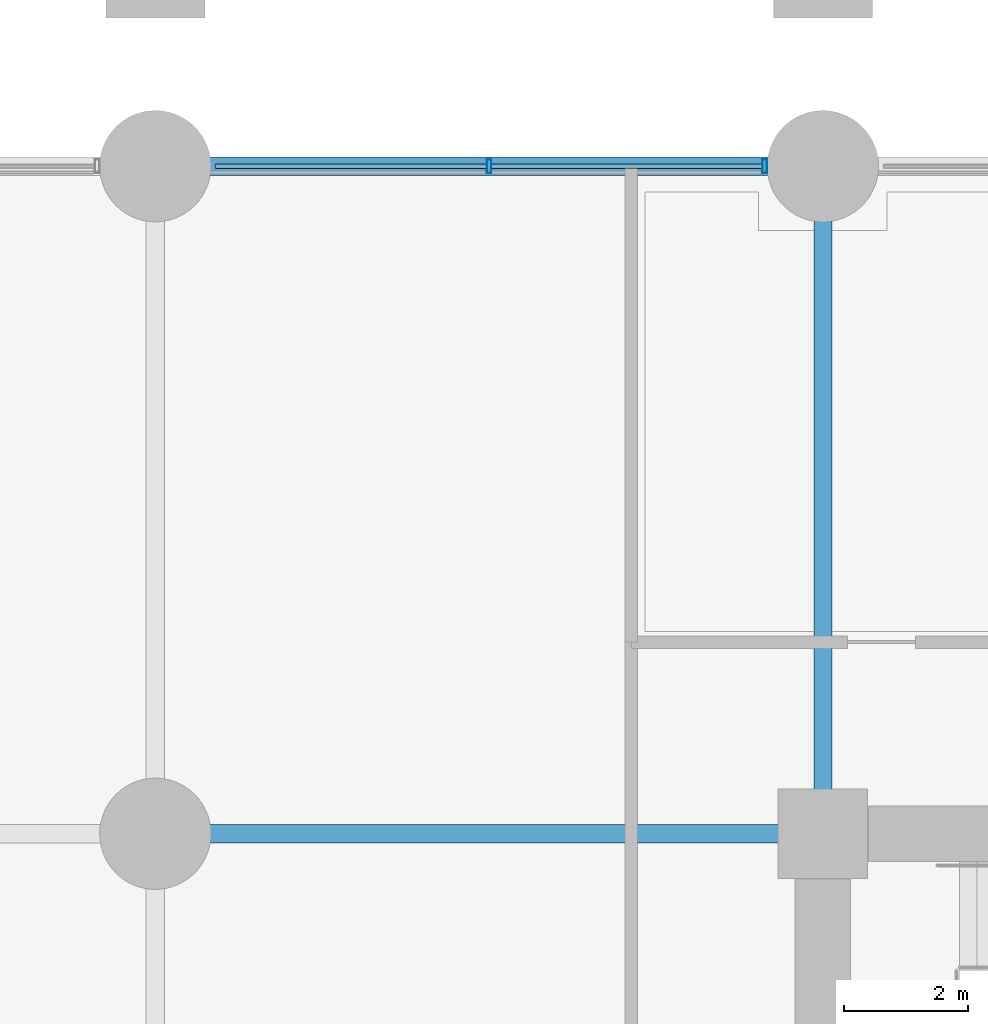
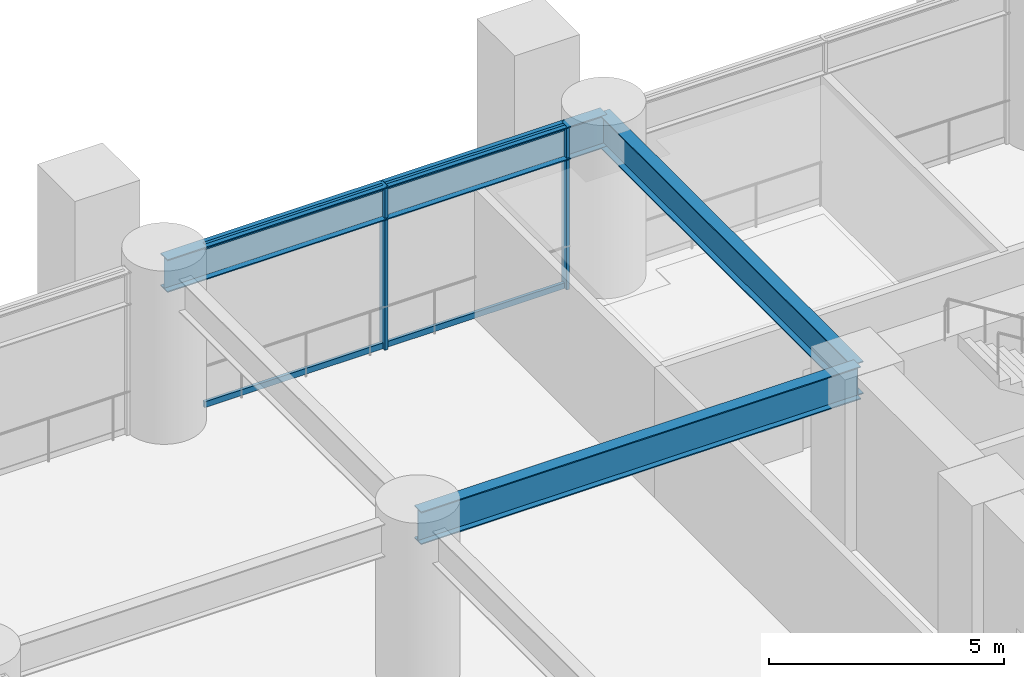
# One storey, part 13 of 31: 6 members, 3 beams, 1 element without a shape of its own.
"""IFC4 building model written with IfcOpenShell, lengths in metres."""

import ifcopenshell
import ifcopenshell.guid

model = None  # the IFC model being written
_history = None  # IfcOwnerHistory: only IFC2X3 demands one
_inside = {}  # id of a spatial element -> (the spatial element, [elements in it])
_under = {}  # id of a project, library or spatial element -> (it, [spatial elements below it])
_declared = {}  # id of a project -> (the project, [libraries it declares])
_typed = {}  # id of a type object -> (the type object, [elements of that type])
_made_of = {}  # id of a material, layer set ... -> (it, [elements and type objects made of it])


def new_model(schema):
    """Start an empty IFC model of exactly this schema.

    Asked for "IFC4X3", IfcOpenShell would pick the latest addendum, in which some entities
    have other attributes; the version numbers below select the first issue.
    IFC2X3 requires an IfcOwnerHistory on every rooted entity: one is made here for all.
    """
    global model, _history
    if schema == "IFC4X3":
        model = ifcopenshell.file(schema_version=(4, 3, 0, 0))
    else:
        model = ifcopenshell.file(schema=schema)
    _inside.clear()
    _under.clear()
    _declared.clear()
    _typed.clear()
    _made_of.clear()
    _history = None
    if model.schema == "IFC2X3":
        org = make("IfcOrganization", Name="unknown")
        user = make(
            "IfcPersonAndOrganization",
            ThePerson=make("IfcPerson", FamilyName="unknown"),
            TheOrganization=org,
        )
        app = make(
            "IfcApplication",
            ApplicationDeveloper=org,
            Version="unknown",
            ApplicationFullName="unknown",
            ApplicationIdentifier="unknown",
        )
        _history = make(
            "IfcOwnerHistory",
            OwningUser=user,
            OwningApplication=app,
            ChangeAction="ADDED",
            CreationDate=0,
        )
    return model


def make(cls, **values):
    """One entity of the class cls with the attributes given. An attribute that is None is left unset."""
    return model.create_entity(
        cls, **{name: value for name, value in values.items() if value is not None}
    )


def rooted(cls, **values):
    """An entity with a GlobalId (a new one), such as an element, a storey or a relation."""
    return make(cls, GlobalId=ifcopenshell.guid.new(), OwnerHistory=_history, **values)


def si_unit(unit_type, name, prefix=None):
    """IfcSIUnit, for example si_unit("LENGTHUNIT", "METRE", prefix="MILLI")."""
    return make("IfcSIUnit", UnitType=unit_type, Prefix=prefix, Name=name)


def assignment(units):
    """IfcUnitAssignment: the units of a project."""
    return None if units is None else make("IfcUnitAssignment", Units=units)


def point(xyz):
    """IfcCartesianPoint."""
    return None if xyz is None else make("IfcCartesianPoint", Coordinates=xyz)


def direction(xyz):
    """IfcDirection."""
    return None if xyz is None else make("IfcDirection", DirectionRatios=xyz)


def frame(location, z_axis=None, x_axis=None):
    """IfcAxis2Placement3D, a coordinate frame: its origin and axes. An axis left out is left unset."""
    return make(
        "IfcAxis2Placement3D",
        Location=point(location),
        Axis=direction(z_axis),
        RefDirection=direction(x_axis),
    )


def frame_2d(location, x_axis=None):
    """IfcAxis2Placement2D, a coordinate frame in the plane: its origin and x axis."""
    return make(
        "IfcAxis2Placement2D", Location=point(location), RefDirection=direction(x_axis)
    )


def origin():
    """The frame at (0, 0, 0) with its axes left unset."""
    return frame((0.0, 0.0, 0.0))


def origin_2d():
    """The frame at (0, 0) in the plane with its x axis left unset."""
    return frame_2d((0.0, 0.0))


def place(relative_to, where):
    """IfcLocalPlacement: puts the frame where relative to a parent placement (None: the world)."""
    return make(
        "IfcLocalPlacement", PlacementRelTo=relative_to, RelativePlacement=where
    )


def context(
    kind, dimensions, precision=None, world=None, true_north=None, identifier=None
):
    """IfcGeometricRepresentationContext, for example the 3D "Model" context."""
    return make(
        "IfcGeometricRepresentationContext",
        ContextIdentifier=identifier,
        ContextType=kind,
        CoordinateSpaceDimension=dimensions,
        Precision=precision,
        WorldCoordinateSystem=world,
        TrueNorth=true_north,
    )


def subcontext(parent, identifier, kind, view, scale=None):
    """IfcGeometricRepresentationSubContext, for example "Body" below "Model"."""
    return make(
        "IfcGeometricRepresentationSubContext",
        ContextIdentifier=identifier,
        ContextType=kind,
        ParentContext=parent,
        TargetScale=scale,
        TargetView=view,
    )


def project(units=None, contexts=None):
    """IfcProject with its units and contexts."""
    return rooted(
        "IfcProject",
        Name="project",
        RepresentationContexts=contexts,
        UnitsInContext=assignment(units),
    )


def spatial(cls, under=None, at=None, **own):
    """A site, building, storey or space (cls), placed at a placement, below another one or the project."""
    s = rooted(cls, ObjectPlacement=at, **own)
    if under is not None:
        _under.setdefault(under.id(), (under, []))[1].append(s)
    return s


def profile(cls, at=None, kind="AREA", **sizes):
    """A parametric profile (cls). Its sizes go by their IFC names, for example OverallWidth=200.0."""
    return make(cls, ProfileType=kind, Position=at, **sizes)


def hollow_rectangle(**sizes):
    """IfcRectangleHollowProfileDef."""
    return profile("IfcRectangleHollowProfileDef", **sizes)


def i_section(**sizes):
    """IfcIShapeProfileDef."""
    return profile("IfcIShapeProfileDef", **sizes)


def extrude(swept, where, along, depth):
    """IfcExtrudedAreaSolid: the profile swept, set in the frame where, extruded along a direction by depth."""
    return make(
        "IfcExtrudedAreaSolid",
        SweptArea=swept,
        Position=where,
        ExtrudedDirection=direction(along),
        Depth=depth,
    )


def shape(context_of_items, identifier, shape_type, items):
    """IfcShapeRepresentation: the items that make up one representation, for example the "Body"."""
    return make(
        "IfcShapeRepresentation",
        ContextOfItems=context_of_items,
        RepresentationIdentifier=identifier,
        RepresentationType=shape_type,
        Items=items,
    )


def material(Name=None, Category=None):
    """IfcMaterial."""
    return make("IfcMaterial", Name=Name, Category=Category)


def layer(
    of_material, thickness, ventilated=None, Name=None, Category=None, Priority=None
):
    """IfcMaterialLayer: one layer of a wall or slab, of a material (None: an air gap)."""
    return make(
        "IfcMaterialLayer",
        Material=of_material,
        LayerThickness=thickness,
        IsVentilated=ventilated,
        Name=Name,
        Category=Category,
        Priority=Priority,
    )


def layer_set(layers, Name=None):
    """IfcMaterialLayerSet."""
    return make("IfcMaterialLayerSet", MaterialLayers=layers, LayerSetName=Name)


def material_profile(
    of_material, cross_section, Name=None, Category=None, Priority=None
):
    """IfcMaterialProfile: a cross section and its material."""
    return make(
        "IfcMaterialProfile",
        Name=Name,
        Material=of_material,
        Profile=cross_section,
        Priority=Priority,
        Category=Category,
    )


def profile_set(profiles, Name=None, composite=None):
    """IfcMaterialProfileSet."""
    return make(
        "IfcMaterialProfileSet",
        Name=Name,
        MaterialProfiles=profiles,
        CompositeProfile=composite,
    )


def made_of(thing, what):
    """Note that an element or type object is made of a material, layer set ...; save() writes the relation."""
    if what is not None:
        _made_of.setdefault(what.id(), (what, []))[1].append(thing)
    return thing


def type_object(cls, material=None, **own):
    """A type object (cls), such as IfcWallType, which elements share."""
    return made_of(rooted(cls, **own), material)


def element(
    cls,
    number,
    at=None,
    inside=None,
    cuts=None,
    type_object=None,
    material=None,
    context=None,
    identifier="Body",
    shape_type=None,
    held_by="IfcProductDefinitionShape",
    body=None,
    shapes=None,
    **own,
):
    """One element of the class cls, such as IfcWall. Its Tag is "e" and its number.

    at: its placement. inside: the storey or other place that contains it. cuts: it is an
    opening in that element (IfcRelVoidsElement). A single representation is given by context,
    identifier, shape_type and body (its items); several are given by shapes. held_by: the class
    of the entity that holds the representations. save() writes the other relations.
    """
    e = rooted(cls, Tag="e%d" % number, ObjectPlacement=at, **own)
    if body is not None:
        shapes = [shape(context, identifier, shape_type, body)]
    if shapes is not None:
        e.Representation = make(held_by, Representations=shapes)
    if inside is not None:
        _inside.setdefault(inside.id(), (inside, []))[1].append(e)
    if cuts is not None:
        rooted(
            "IfcRelVoidsElement", RelatingBuildingElement=cuts, RelatedOpeningElement=e
        )
    if type_object is not None:
        _typed.setdefault(type_object.id(), (type_object, []))[1].append(e)
    return made_of(e, material)


def aggregate(whole, parts):
    """IfcRelAggregates: a whole, such as a stair, and the parts it consists of."""
    return rooted("IfcRelAggregates", RelatingObject=whole, RelatedObjects=parts)


def save(model, path):
    """Write the relations noted so far, then the file.

    IfcRelAggregates (storeys below a building ...), IfcRelContainedInSpatialStructure (elements
    in a storey), IfcRelDefinesByType, IfcRelAssociatesMaterial and IfcRelDeclares: one each for
    every whole, place, type object, material and project.
    """
    for whole, parts in _under.values():
        aggregate(whole, parts)
    for where, things in _inside.values():
        rooted(
            "IfcRelContainedInSpatialStructure",
            RelatedElements=things,
            RelatingStructure=where,
        )
    for kind, things in _typed.values():
        rooted("IfcRelDefinesByType", RelatedObjects=things, RelatingType=kind)
    for what, things in _made_of.values():
        rooted("IfcRelAssociatesMaterial", RelatedObjects=things, RelatingMaterial=what)
    for by, libraries in _declared.values():
        rooted("IfcRelDeclares", RelatingContext=by, RelatedDefinitions=libraries)
    model.write(path)


model = new_model("IFC4")

# Units and contexts
model_context = context("Model", 3, precision=1e-05, world=origin(), true_north=direction((0.0, 1.0)))
body_context = subcontext(model_context, "Body", "Model", "MODEL_VIEW")
ifc_project = project(units=[si_unit("LENGTHUNIT", "METRE"), si_unit("AREAUNIT", "SQUARE_METRE"), si_unit("VOLUMEUNIT", "CUBIC_METRE"), si_unit("PLANEANGLEUNIT", "RADIAN"), si_unit("MASSUNIT", "GRAM", prefix="KILO")], contexts=[model_context])

# Site, building, storey
site_placement = place(None, origin())
site = spatial("IfcSite", under=ifc_project, at=site_placement, CompositionType="ELEMENT")
building_placement = place(site_placement, origin())
building = spatial("IfcBuilding", under=site, at=building_placement, Name="Surkhivell Harbour Commons", CompositionType="ELEMENT")
storey_placement = place(building_placement, frame((0.0, 0.0, 4.5)))
storey = spatial("IfcBuildingStorey", under=building, at=storey_placement, Name="L01", CompositionType="ELEMENT", Elevation=4.5)

# Beams
ifc_material_1 = material(Name="Steel S460", Category="steel")
ifc_material_profile_1 = material_profile(ifc_material_1, i_section(OverallWidth=0.2939453125, OverallDepth=0.85107421875, WebThickness=0.01611328125, FlangeThickness=0.02685546875, at=origin_2d()), Name="UB838x292x226")
ifc_profile_set_1 = profile_set([ifc_material_profile_1], Name="Steel S460")
beam_type = type_object("IfcBeamType", Name="BM-SPN-838", PredefinedType="SPANDREL", material=ifc_profile_set_1)
for number, where, z_axis, x_axis, name in (
    (1, (-21.60009765625, 10.800048828125, 3.824462890625), (1.0, 0.0, 0.0), (0.0, 1.0, 0.0), "L01 Framing Beam (-21.6,10.8)"),
    (2, (-21.60009765625, 21.60009765625, 3.824462890625), (1.0, 0.0, 0.0), (0.0, 1.0, 0.0), "L01 Framing Beam (-21.6,21.6)"),
    (3, (-10.800048828125, 10.800048828125, 3.824462890625), (0.0, 1.0, 0.0), (-1.0, 0.0, 0.0), "L01 Framing Beam (-10.8,10.8)"),
):
    element("IfcBeam", number, at=place(storey_placement, frame(where, z_axis=z_axis, x_axis=x_axis)), inside=storey, type_object=beam_type, Name=name, PredefinedType="SPANDREL", context=body_context, shape_type="SweptSolid", body=[
        extrude(i_section(OverallWidth=0.2939453125, OverallDepth=0.85107421875, WebThickness=0.01611328125, FlangeThickness=0.02685546875, at=origin_2d()), origin(), (0.0, 0.0, 1.0), 10.800048828125),
    ])

# Curtain wall, members
ifc_material_2 = material(Name="Anodised pale-metal aluminium and insulated glazing", Category="aluminium")
ifc_layer = layer(ifc_material_2, 0.239990234375)
ifc_layer_set = layer_set([ifc_layer], Name="Anodised pale-metal aluminium and insulated glazing")
curtain_wall_type = type_object("IfcCurtainWallType", Name="CW-SYS-POD", PredefinedType="NOTDEFINED", material=ifc_layer_set)
curtain_wall_placement = place(storey_placement, origin())
curtain_wall = element("IfcCurtainWall", 4, at=curtain_wall_placement, inside=storey, type_object=curtain_wall_type, Name="L01 Curtain Wall CW-L01-P03", PredefinedType="NOTDEFINED")
ifc_material_3 = material(Name="Anodised pale-metal aluminium alloy 6063-T6", Category="aluminium")
ifc_material_profile_2 = material_profile(ifc_material_3, hollow_rectangle(XDim=0.074951171875, YDim=0.219970703125, WallThickness=0.00390625, at=origin_2d()), Name="ALU-MULL-75x220")
ifc_profile_set_2 = profile_set([ifc_material_profile_2], Name="Anodised pale-metal aluminium alloy 6063-T6")
member_type_1 = type_object("IfcMemberType", Name="CWM-220", PredefinedType="MULLION", material=ifc_profile_set_2)
member_1_placement = place(storey_placement, frame((-11.739501953125, 21.60009765625, 0.0), z_axis=(0.0, 0.0, 1.0), x_axis=(-1.0, 0.0, 0.0)))
member_1 = element("IfcMember", 5, at=member_1_placement, type_object=member_type_1, Name="CW-POD mullion 9", PredefinedType="MULLION", context=body_context, shape_type="SweptSolid", body=[
    extrude(hollow_rectangle(XDim=0.074951171875, YDim=0.219970703125, WallThickness=0.00390625, at=origin_2d()), origin(), (0.0, 0.0, 1.0), 4.25),
])
member_2_placement = place(storey_placement, frame((-16.199951171875, 21.60009765625, 0.0), z_axis=(0.0, 0.0, 1.0), x_axis=(-1.0, 0.0, 0.0)))
member_2 = element("IfcMember", 6, at=member_2_placement, type_object=member_type_1, Name="CW-POD mullion 10", PredefinedType="MULLION", context=body_context, shape_type="SweptSolid", body=[
    extrude(hollow_rectangle(XDim=0.074951171875, YDim=0.219970703125, WallThickness=0.00390625, at=origin_2d()), origin(), (0.0, 0.0, 1.0), 4.25),
])
ifc_material_profile_3 = material_profile(ifc_material_3, hollow_rectangle(XDim=0.074951171875, YDim=0.14990234375, WallThickness=0.00341796875, at=origin_2d()), Name="ALU-TRAN-75x150")
ifc_profile_set_3 = profile_set([ifc_material_profile_3], Name="Anodised pale-metal aluminium alloy 6063-T6")
member_type_2 = type_object("IfcMemberType", Name="CWT-150", PredefinedType="USERDEFINED", material=ifc_profile_set_3)
member_3_placement = place(storey_placement, frame((-11.777099609375, 21.60009765625, 0.074951171875), z_axis=(-1.0, 0.0, 0.0), x_axis=(0.0, -1.0, 0.0)))
member_3 = element("IfcMember", 7, at=member_3_placement, type_object=member_type_2, Name="CW-POD transom 9.1", ObjectType="TRANSOM", PredefinedType="USERDEFINED", context=body_context, shape_type="SweptSolid", body=[
    extrude(hollow_rectangle(XDim=0.074951171875, YDim=0.14990234375, WallThickness=0.00341796875, at=origin_2d()), origin(), (0.0, 0.0, 1.0), 4.385498046875),
])
member_4_placement = place(storey_placement, frame((-11.777099609375, 21.60009765625, 4.175048828125), z_axis=(-1.0, 0.0, 0.0), x_axis=(0.0, -1.0, 0.0)))
member_4 = element("IfcMember", 8, at=member_4_placement, type_object=member_type_2, Name="CW-POD transom 9.2", ObjectType="TRANSOM", PredefinedType="USERDEFINED", context=body_context, shape_type="SweptSolid", body=[
    extrude(hollow_rectangle(XDim=0.074951171875, YDim=0.14990234375, WallThickness=0.00341796875, at=origin_2d()), origin(), (0.0, 0.0, 1.0), 4.385498046875),
])
member_5_placement = place(storey_placement, frame((-16.237548828125, 21.60009765625, 0.074951171875), z_axis=(-1.0, 0.0, 0.0), x_axis=(0.0, -1.0, 0.0)))
member_5 = element("IfcMember", 9, at=member_5_placement, type_object=member_type_2, Name="CW-POD transom 10.1", ObjectType="TRANSOM", PredefinedType="USERDEFINED", context=body_context, shape_type="SweptSolid", body=[
    extrude(hollow_rectangle(XDim=0.074951171875, YDim=0.14990234375, WallThickness=0.00341796875, at=origin_2d()), origin(), (0.0, 0.0, 1.0), 4.385498046875),
])
member_6_placement = place(storey_placement, frame((-16.237548828125, 21.60009765625, 4.175048828125), z_axis=(-1.0, 0.0, 0.0), x_axis=(0.0, -1.0, 0.0)))
member_6 = element("IfcMember", 10, at=member_6_placement, type_object=member_type_2, Name="CW-POD transom 10.2", ObjectType="TRANSOM", PredefinedType="USERDEFINED", context=body_context, shape_type="SweptSolid", body=[
    extrude(hollow_rectangle(XDim=0.074951171875, YDim=0.14990234375, WallThickness=0.00341796875, at=origin_2d()), origin(), (0.0, 0.0, 1.0), 4.385498046875),
])
aggregate(curtain_wall, [member_1, member_2, member_3, member_4, member_5, member_6])

save(model, "model.ifc")
